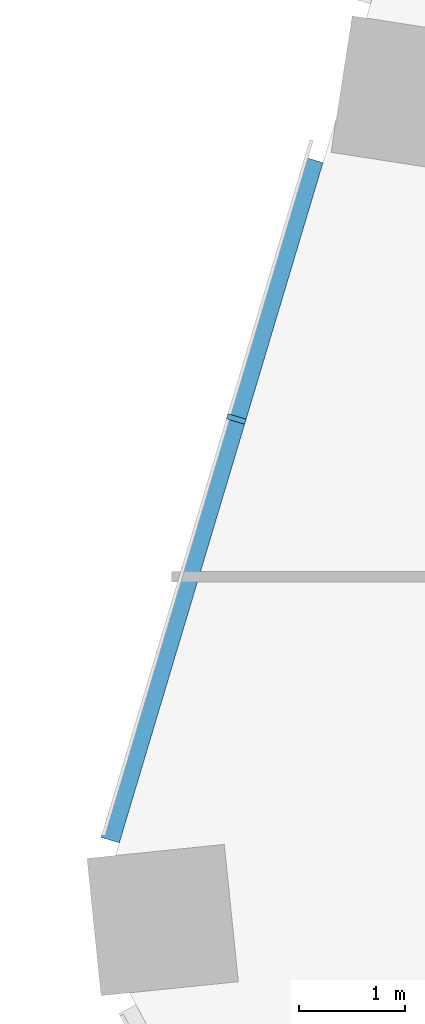
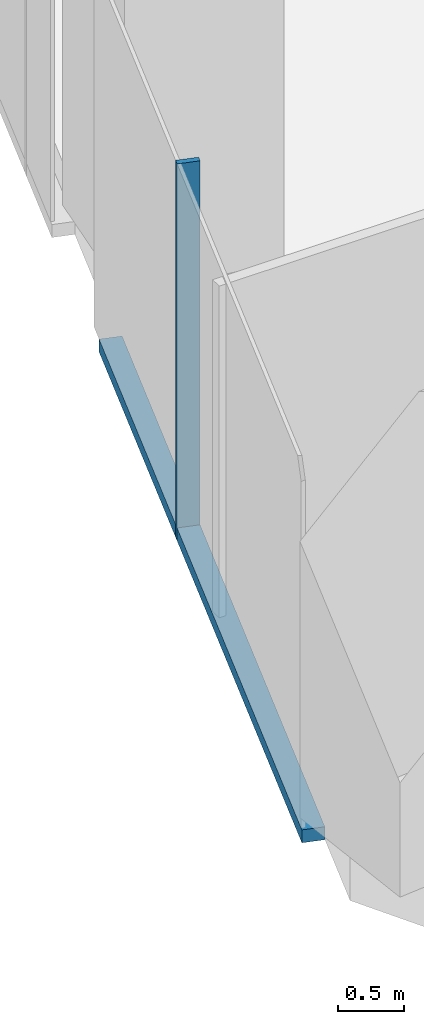
# One storey, part 7 of 34: 2 members, 1 element without a shape of its own.
"""IFC4 building model written with IfcOpenShell, lengths in metres."""

from ifc_helpers import new_model, si_unit, direction, frame, origin, origin_2d, place, context, subcontext, project, spatial, rectangle, extrude, material, material_profile, profile_set, type_object, element, aggregate, save


model = new_model("IFC4")

# Units and contexts
model_context = context("Model", 3, precision=1e-05, world=origin(), true_north=direction((0.0, 1.0)))
body_context = subcontext(model_context, "Body", "Model", "MODEL_VIEW")
ifc_project = project(units=[si_unit("LENGTHUNIT", "METRE"), si_unit("AREAUNIT", "SQUARE_METRE"), si_unit("VOLUMEUNIT", "CUBIC_METRE"), si_unit("PLANEANGLEUNIT", "RADIAN"), si_unit("MASSUNIT", "GRAM", prefix="KILO")], contexts=[model_context])

# Site, building, storey
site_placement = place(None, origin())
site = spatial("IfcSite", under=ifc_project, at=site_placement, CompositionType="ELEMENT")
building_placement = place(site_placement, origin())
building = spatial("IfcBuilding", under=site, at=building_placement, Name="Orlundy Tower", CompositionType="ELEMENT")
storey_placement = place(building_placement, frame((0.0, 0.0, 130.699951171875)))
storey = spatial("IfcBuildingStorey", under=building, at=storey_placement, Name="L33", CompositionType="ELEMENT", Elevation=130.699951171875)

# Curtain wall, members
ifc_material_1 = material(Name="Aluminium bronze anodised", Category="aluminium")
curtain_wall_type = type_object("IfcCurtainWallType", Name="CW1 wall", PredefinedType="NOTDEFINED", material=ifc_material_1)
curtain_wall_placement = place(storey_placement, origin())
curtain_wall = element("IfcCurtainWall", 1, at=curtain_wall_placement, inside=storey, type_object=curtain_wall_type, Name="CW1 run 02", PredefinedType="NOTDEFINED")
ifc_material_2 = material(Name="Aluminium bronze anodised", Category="aluminium")
ifc_material_profile_1 = material_profile(ifc_material_2, rectangle(XDim=0.179931640625, YDim=0.050048828125, at=origin_2d()), Name="CW1 mullion 50x180")
ifc_profile_set_1 = profile_set([ifc_material_profile_1], Name="Aluminium bronze anodised")
member_type_1 = type_object("IfcMemberType", Name="CW1 mullion 50x180", PredefinedType="MULLION", material=ifc_profile_set_1)
member_1_placement = place(storey_placement, frame((-30.964599609375, 1.4873046875, -0.39990234375), z_axis=(0.0, 0.0, 1.0), x_axis=(-0.957985612971, 0.286816257107, 0.0)))
member_1 = element("IfcMember", 2, at=member_1_placement, type_object=member_type_1, Name="CW1 mullion 10", PredefinedType="MULLION", context=body_context, shape_type="SweptSolid", body=[
    extrude(rectangle(XDim=0.179931640625, YDim=0.050048828125, at=origin_2d()), origin(), (0.0, 0.0, 1.0), 3.5),
])
ifc_material_3 = material(Name="Aluminium bronze anodised", Category="aluminium")
ifc_material_profile_2 = material_profile(ifc_material_3, rectangle(XDim=0.179931640625, YDim=0.1201171875, at=origin_2d()), Name="CW1 transom 180x120")
ifc_profile_set_2 = profile_set([ifc_material_profile_2], Name="Aluminium bronze anodised")
member_type_2 = type_object("IfcMemberType", Name="CW1 transom 180x120", PredefinedType="USERDEFINED", material=ifc_profile_set_2)
member_2_placement = place(storey_placement, frame((-32.152587890625, -2.48046875, -0.33984375), z_axis=(0.286825574838, 0.957982823238, 0.0), x_axis=(-0.957982823238, 0.286825574838, 0.0)))
member_2 = element("IfcMember", 3, at=member_2_placement, type_object=member_type_2, Name="CW1 transom", ObjectType="TRANSOM", PredefinedType="USERDEFINED", context=body_context, shape_type="SweptSolid", body=[
    extrude(rectangle(XDim=0.179931640625, YDim=0.1201171875, at=origin_2d()), origin(), (0.0, 0.0, 1.0), 6.690185546875),
])
aggregate(curtain_wall, [member_1, member_2])

save(model, "model.ifc")
